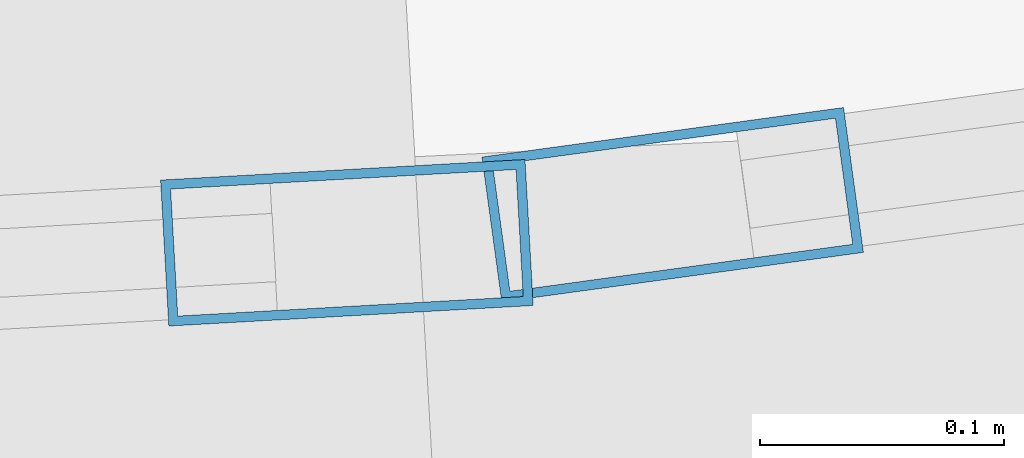
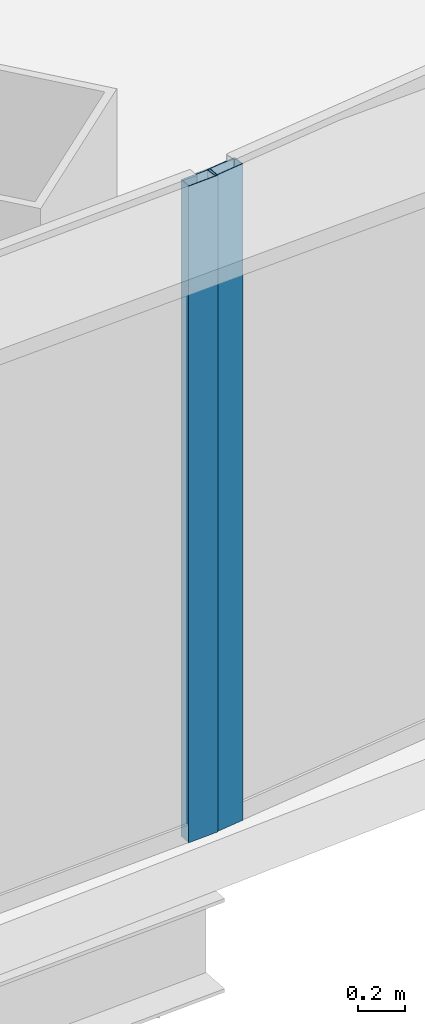
# One storey, part 14 of 39: 2 members, 2 elements without a shape of their own.
"""IFC4 building model written with IfcOpenShell, lengths in metres."""

from ifc_helpers import new_model, si_unit, direction, frame, origin, origin_2d, place, context, subcontext, project, spatial, hollow_rectangle, extrude, source, transform, mapped, material, layer, layer_set, material_profile, profile_set, type_object, element, aggregate, save


model = new_model("IFC4")

# Units and contexts
model_context = context("Model", 3, precision=1e-05, world=origin(), true_north=direction((0.0, 1.0)))
body_context = subcontext(model_context, "Body", "Model", "MODEL_VIEW")
ifc_project = project(units=[si_unit("LENGTHUNIT", "METRE"), si_unit("AREAUNIT", "SQUARE_METRE"), si_unit("VOLUMEUNIT", "CUBIC_METRE"), si_unit("PLANEANGLEUNIT", "RADIAN"), si_unit("MASSUNIT", "GRAM", prefix="KILO"), si_unit("THERMODYNAMICTEMPERATUREUNIT", "KELVIN"), si_unit("POWERUNIT", "WATT")], contexts=[model_context])

# Site, building, storey
site_placement = place(None, origin())
site = spatial("IfcSite", under=ifc_project, at=site_placement, CompositionType="ELEMENT")
building_placement = place(site_placement, origin())
building = spatial("IfcBuilding", under=site, at=building_placement, Name="Yunzhuo Pagoda Commons", CompositionType="ELEMENT")
storey_placement = place(building_placement, frame((0.0, 0.0, 162.949951171875)))
storey = spatial("IfcBuildingStorey", under=building, at=storey_placement, Name="L41", CompositionType="ELEMENT", Elevation=162.949951171875)

# Curtain wall, member
ifc_material = material(Name="Anodized aluminium 6063-T6", Category="aluminium")
ifc_layer = layer(ifc_material, 0.14990234375)
ifc_layer_set = layer_set([ifc_layer], Name="Anodized aluminium 6063-T6")
curtain_wall_type = type_object("IfcCurtainWallType", Name="CW-MID Mid-Zone Ribbon Curtain Wall", PredefinedType="NOTDEFINED", material=ifc_layer_set)
curtain_wall_1_placement = place(storey_placement, origin())
curtain_wall_1 = element("IfcCurtainWall", 1, at=curtain_wall_1_placement, inside=storey, type_object=curtain_wall_type, Name="L41 curtain wall CW-L41-F1B4", PredefinedType="NOTDEFINED")
ifc_material_profile = material_profile(ifc_material, hollow_rectangle(XDim=0.06005859375, YDim=0.14990234375, WallThickness=0.00390625, at=origin_2d()), Name="Anodized aluminium 6063-T6")
ifc_profile_set = profile_set([ifc_material_profile], Name="Anodized aluminium 6063-T6")
member_type = type_object("IfcMemberType", Name="CW-MID-M Mullion RHS 150x60x4", PredefinedType="MULLION", material=ifc_profile_set)
shared_shape = source(origin(), body_context, "Body", "SweptSolid", [
    extrude(hollow_rectangle(XDim=0.06005859375, YDim=0.14990234375, WallThickness=0.00390625, at=origin_2d()), origin(), (0.0, 0.0, 1.0), 3.420166015625),
])
member_1_placement = place(storey_placement, frame((64.230224609375, 14.320556640625, 0.0), z_axis=(0.0, 0.0, 1.0), x_axis=(-0.056298716731, 0.998413969501, 0.0)))
member_1 = element("IfcMember", 2, at=member_1_placement, type_object=member_type, Name="CW mullion 2", PredefinedType="MULLION", context=body_context, shape_type="MappedRepresentation", body=[
    mapped(shared_shape, transform((0.0, 0.0, 0.0), scale=1.0)),
])
aggregate(curtain_wall_1, [member_1])

curtain_wall_2_placement = place(storey_placement, origin())
curtain_wall_2 = element("IfcCurtainWall", 3, at=curtain_wall_2_placement, inside=storey, type_object=curtain_wall_type, Name="L41 curtain wall CW-L41-F1B5", PredefinedType="NOTDEFINED")
member_2_placement = place(storey_placement, frame((64.364013671875, 14.336181640625, 0.0), z_axis=(0.0, 0.0, 1.0), x_axis=(-0.135767265879, 0.990740757976, 0.0)))
member_2 = element("IfcMember", 4, at=member_2_placement, type_object=member_type, Name="CW mullion 1", PredefinedType="MULLION", context=body_context, shape_type="MappedRepresentation", body=[
    mapped(shared_shape, transform((0.0, 0.0, 0.0), scale=1.0)),
])
aggregate(curtain_wall_2, [member_2])

save(model, "model.ifc")
